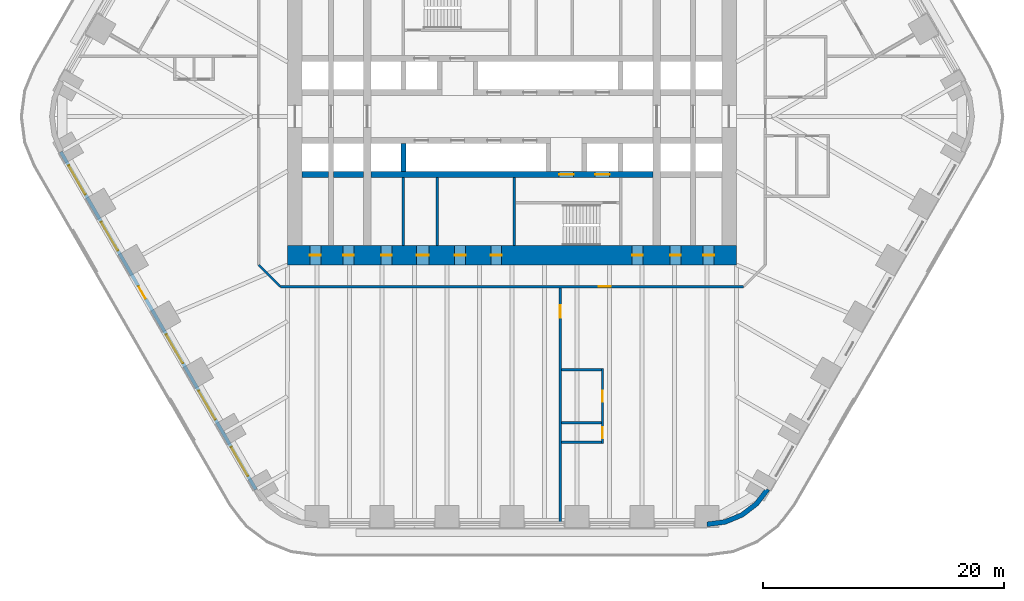
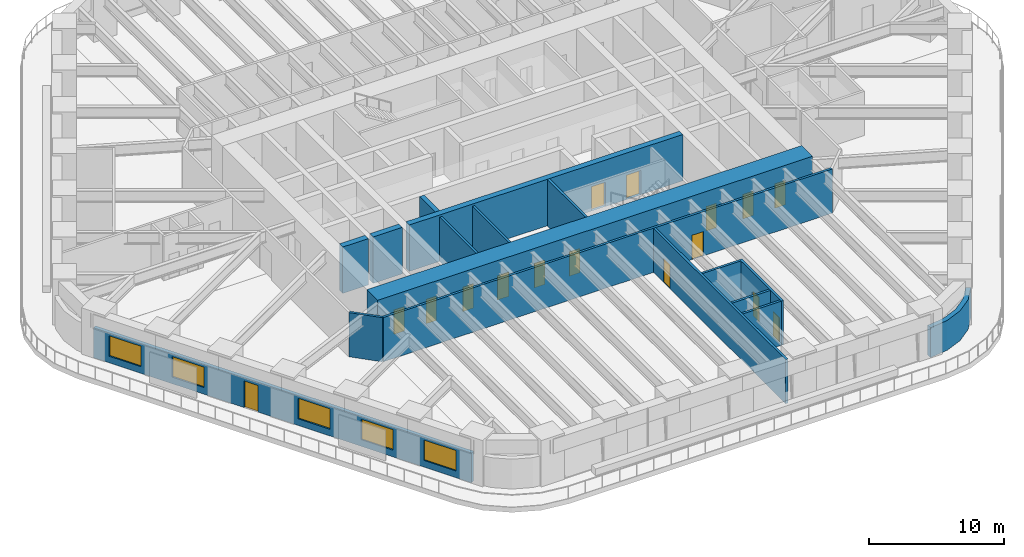
# One storey, part 16 of 23: 17 walls, 16 doors, 5 windows, 21 openings.
"""IFC4 building model written with IfcOpenShell, lengths in metres."""

from ifc_helpers import new_model, si_unit, direction, frame, frame_2d, origin, place, context, subcontext, project, spatial, polyline, rectangle, outline, extrude, material, layer, layer_set, type_object, element, fill, save


model = new_model("IFC4")

# Units and contexts
model_context = context("Model", 3, precision=1e-05, world=origin(), true_north=direction((0.0, 1.0)))
body_context = subcontext(model_context, "Body", "Model", "MODEL_VIEW")
ifc_project = project(units=[si_unit("LENGTHUNIT", "METRE"), si_unit("AREAUNIT", "SQUARE_METRE"), si_unit("VOLUMEUNIT", "CUBIC_METRE"), si_unit("PLANEANGLEUNIT", "RADIAN"), si_unit("MASSUNIT", "GRAM", prefix="KILO")], contexts=[model_context])

# Site, building, storey
site_placement = place(None, origin())
site = spatial("IfcSite", under=ifc_project, at=site_placement, CompositionType="ELEMENT")
building_placement = place(site_placement, origin())
building = spatial("IfcBuilding", under=site, at=building_placement, Name="Tarfa Lantern Tower", CompositionType="ELEMENT")
storey_placement = place(building_placement, frame((0.0, 0.0, 44.5)))
storey = spatial("IfcBuildingStorey", under=building, at=storey_placement, Name="L09", CompositionType="ELEMENT", Elevation=44.5)

# Wall, openings, door, windows
ifc_material_1 = material(Name="Limestone cladding on blockwork", Category="masonry")
ifc_layer_1 = layer(ifc_material_1, 0.300048828125)
ifc_layer_set_1 = layer_set([ifc_layer_1], Name="EW1 STONE-CLAD WALL 300")
wall_type_1 = type_object("IfcWallType", Name="EW1 STONE-CLAD WALL 300", PredefinedType="SOLIDWALL", material=ifc_layer_set_1)
wall_1_placement = place(storey_placement, frame((-37.39794921875, -2.925048828125, 0.0), z_axis=(0.0, 0.0, 1.0), x_axis=(0.499999163675, -0.866025886636, 0.0)))
wall_1 = element("IfcWall", 1, at=wall_1_placement, inside=storey, type_object=wall_type_1, Name="Stone wall SW", PredefinedType="SOLIDWALL", context=body_context, shape_type="SweptSolid", body=[
    extrude(rectangle(XDim=32.33154296875, YDim=0.300048828125, at=frame_2d((16.165771484375, 0.0))), origin(), (0.0, 0.0, 1.0), 2.699951171875),
])
opening_1_placement = place(wall_1_placement, frame((1.3193359375, 0.0, 0.60009765625)))
opening_1 = element("IfcOpeningElement", 2, at=opening_1_placement, cuts=wall_1, Name="Opening W2", PredefinedType="OPENING", context=body_context, shape_type="SweptSolid", body=[
    extrude(rectangle(XDim=2.75, YDim=1.85009765625, at=frame_2d((1.375, 0.925048828125))), frame((0.0, 0.159912109375, 0.0), z_axis=(0.0, -1.0, 0.0), x_axis=(1.0, 0.0, 0.0)), (0.0, 0.0, 1.0), 0.320068359375),
])
opening_2_placement = place(wall_1_placement, frame((6.7080078125, 0.0, 0.60009765625)))
opening_2 = element("IfcOpeningElement", 3, at=opening_2_placement, cuts=wall_1, Name="Opening W2", PredefinedType="OPENING", context=body_context, shape_type="SweptSolid", body=[
    extrude(rectangle(XDim=2.75, YDim=1.85009765625, at=frame_2d((1.375, 0.925048828125))), frame((0.0, 0.159912109375, 0.0), z_axis=(0.0, -1.0, 0.0), x_axis=(1.0, 0.0, 0.0)), (0.0, 0.0, 1.0), 0.320068359375),
])
opening_3_placement = place(wall_1_placement, frame((12.87158203125, 0.0, 0.0)))
opening_3 = element("IfcOpeningElement", 4, at=opening_3_placement, cuts=wall_1, Name="Opening D51", PredefinedType="OPENING", context=body_context, shape_type="SweptSolid", body=[
    extrude(rectangle(XDim=1.199951171875, YDim=2.39990234375, at=frame_2d((0.60009765625, 1.199951171875))), frame((0.0, 0.159912109375, 0.0), z_axis=(0.0, -1.0, 0.0), x_axis=(1.0, 0.0, 0.0)), (0.0, 0.0, 1.0), 0.320068359375),
])
opening_4_placement = place(wall_1_placement, frame((17.485107421875, 0.0, 0.60009765625)))
opening_4 = element("IfcOpeningElement", 5, at=opening_4_placement, cuts=wall_1, Name="Opening W2", PredefinedType="OPENING", context=body_context, shape_type="SweptSolid", body=[
    extrude(rectangle(XDim=2.75, YDim=1.85009765625, at=frame_2d((1.375, 0.925048828125))), frame((0.0, 0.159912109375, 0.0), z_axis=(0.0, -1.0, 0.0), x_axis=(1.0, 0.0, 0.0)), (0.0, 0.0, 1.0), 0.320068359375),
])
opening_5_placement = place(wall_1_placement, frame((22.873779296875, 0.0, 0.60009765625)))
opening_5 = element("IfcOpeningElement", 6, at=opening_5_placement, cuts=wall_1, Name="Opening W2", PredefinedType="OPENING", context=body_context, shape_type="SweptSolid", body=[
    extrude(rectangle(XDim=2.75, YDim=1.85009765625, at=frame_2d((1.375, 0.925048828125))), frame((0.0, 0.159912109375, 0.0), z_axis=(0.0, -1.0, 0.0), x_axis=(1.0, 0.0, 0.0)), (0.0, 0.0, 1.0), 0.320068359375),
])
opening_6_placement = place(wall_1_placement, frame((28.26220703125, 0.0, 0.60009765625)))
opening_6 = element("IfcOpeningElement", 7, at=opening_6_placement, cuts=wall_1, Name="Opening W2", PredefinedType="OPENING", context=body_context, shape_type="SweptSolid", body=[
    extrude(rectangle(XDim=2.75, YDim=1.85009765625, at=frame_2d((1.375, 0.925048828125))), frame((0.0, 0.159912109375, 0.0), z_axis=(0.0, -1.0, 0.0), x_axis=(1.0, 0.0, 0.0)), (0.0, 0.0, 1.0), 0.320068359375),
])
ifc_material_2 = material(Name="Aluminium framed glazed door", Category="aluminium")
door_type_1 = type_object("IfcDoorType", Name="BE3 BALCONY DOOR 1200x2400", OperationType="SINGLE_SWING_RIGHT", PredefinedType="DOOR", material=ifc_material_2)
door_1_placement = place(opening_3_placement, origin())
door_1 = element("IfcDoor", 8, at=door_1_placement, inside=storey, type_object=door_type_1, Name="Balcony door SW", OperationType="SINGLE_SWING_RIGHT", OverallHeight=2.39990234375, OverallWidth=1.199951171875, PredefinedType="DOOR", context=body_context, shape_type="SweptSolid", body=[
    extrude(rectangle(XDim=1.199951171875, YDim=2.39990234375, at=frame_2d((0.60009765625, 1.199951171875))), frame((0.0, 0.02490234375, 0.0), z_axis=(0.0, -1.0, 0.0), x_axis=(1.0, 0.0, 0.0)), (0.0, 0.0, 1.0), 0.050048828125),
])
fill(opening_3, door_1)
ifc_material_3 = material(Name="Aluminium frame, double glazed", Category="aluminium")
window_type = type_object("IfcWindowType", Name="W2 FULL-HEIGHT GLAZING 2750x1850", PartitioningType="SINGLE_PANEL", PredefinedType="WINDOW", material=ifc_material_3)
window_1_placement = place(opening_1_placement, origin())
window_1 = element("IfcWindow", 9, at=window_1_placement, inside=storey, type_object=window_type, Name="Window SW 1", OverallHeight=1.85009765625, OverallWidth=2.75, PartitioningType="SINGLE_PANEL", PredefinedType="WINDOW", context=body_context, shape_type="SweptSolid", body=[
    extrude(rectangle(XDim=2.75, YDim=1.85009765625, at=frame_2d((1.375, 0.925048828125))), frame((0.0, 0.030029296875, 0.0), z_axis=(0.0, -1.0, 0.0), x_axis=(1.0, 0.0, 0.0)), (0.0, 0.0, 1.0), 0.06005859375),
])
fill(opening_1, window_1)
window_2_placement = place(opening_2_placement, origin())
window_2 = element("IfcWindow", 10, at=window_2_placement, inside=storey, type_object=window_type, Name="Window SW 2", OverallHeight=1.85009765625, OverallWidth=2.75, PartitioningType="SINGLE_PANEL", PredefinedType="WINDOW", context=body_context, shape_type="SweptSolid", body=[
    extrude(rectangle(XDim=2.75, YDim=1.85009765625, at=frame_2d((1.375, 0.925048828125))), frame((0.0, 0.030029296875, 0.0), z_axis=(0.0, -1.0, 0.0), x_axis=(1.0, 0.0, 0.0)), (0.0, 0.0, 1.0), 0.06005859375),
])
fill(opening_2, window_2)
window_3_placement = place(opening_4_placement, origin())
window_3 = element("IfcWindow", 11, at=window_3_placement, inside=storey, type_object=window_type, Name="Window SW 4", OverallHeight=1.85009765625, OverallWidth=2.75, PartitioningType="SINGLE_PANEL", PredefinedType="WINDOW", context=body_context, shape_type="SweptSolid", body=[
    extrude(rectangle(XDim=2.75, YDim=1.85009765625, at=frame_2d((1.375, 0.925048828125))), frame((0.0, 0.030029296875, 0.0), z_axis=(0.0, -1.0, 0.0), x_axis=(1.0, 0.0, 0.0)), (0.0, 0.0, 1.0), 0.06005859375),
])
fill(opening_4, window_3)
window_4_placement = place(opening_5_placement, origin())
window_4 = element("IfcWindow", 12, at=window_4_placement, inside=storey, type_object=window_type, Name="Window SW 5", OverallHeight=1.85009765625, OverallWidth=2.75, PartitioningType="SINGLE_PANEL", PredefinedType="WINDOW", context=body_context, shape_type="SweptSolid", body=[
    extrude(rectangle(XDim=2.75, YDim=1.85009765625, at=frame_2d((1.375, 0.925048828125))), frame((0.0, 0.030029296875, 0.0), z_axis=(0.0, -1.0, 0.0), x_axis=(1.0, 0.0, 0.0)), (0.0, 0.0, 1.0), 0.06005859375),
])
fill(opening_5, window_4)
window_5_placement = place(opening_6_placement, origin())
window_5 = element("IfcWindow", 13, at=window_5_placement, inside=storey, type_object=window_type, Name="Window SW 6", OverallHeight=1.85009765625, OverallWidth=2.75, PartitioningType="SINGLE_PANEL", PredefinedType="WINDOW", context=body_context, shape_type="SweptSolid", body=[
    extrude(rectangle(XDim=2.75, YDim=1.85009765625, at=frame_2d((1.375, 0.925048828125))), frame((0.0, 0.030029296875, 0.0), z_axis=(0.0, -1.0, 0.0), x_axis=(1.0, 0.0, 0.0)), (0.0, 0.0, 1.0), 0.06005859375),
])
fill(opening_6, window_5)

# Walls
ifc_layer_2 = layer(ifc_material_1, 0.39990234375)
ifc_layer_set_2 = layer_set([ifc_layer_2], Name="EW2 CURVED STONE CORNER 400")
wall_type_2 = type_object("IfcWallType", Name="EW2 CURVED STONE CORNER 400", PredefinedType="SOLIDWALL", material=ifc_layer_set_2)
wall_2_placement = place(storey_placement, origin())
element("IfcWall", 14, at=wall_2_placement, inside=storey, type_object=wall_type_2, Name="Stone corner S-SE", PredefinedType="SOLIDWALL", context=body_context, shape_type="SweptSolid", body=[
    extrude(outline(polyline([(16.165771484375, -34.0), (17.71875, -33.795654296875), (19.165771484375, -33.196044921875), (20.408447265625, -32.24267578125), (21.362060546875, -31.0), (21.015625, -30.800048828125), (20.12548828125, -31.959716796875), (18.9658203125, -32.849853515625), (17.615234375, -33.4091796875), (16.165771484375, -33.60009765625), (16.165771484375, -34.0)])), origin(), (0.0, 0.0, 1.0), 2.699951171875),
])
ifc_material_4 = material(Name="Concrete blockwork", Category="masonry")
ifc_layer_3 = layer(ifc_material_4, 0.199951171875)
ifc_layer_set_3 = layer_set([ifc_layer_3], Name="IW1 BLOCKWORK PARTITION 200 EI 120")
wall_type_3 = type_object("IfcWallType", Name="IW1 BLOCKWORK PARTITION 200 EI 120", PredefinedType="PARTITIONING", material=ifc_layer_set_3)
for number, where, z_axis, x_axis, name in (
    (15, (-9.0, -5.050048828125, 0.0), (0.0, 0.0, 1.0), (0.0, -1.0, 0.0), "Core partition"),
    (16, (-6.199951171875, -5.050048828125, 0.0), (0.0, 0.0, 1.0), (0.0, -1.0, 0.0), "Core partition"),
):
    element("IfcWall", number, at=place(storey_placement, frame(where, z_axis=z_axis, x_axis=x_axis)), inside=storey, type_object=wall_type_3, Name=name, PredefinedType="PARTITIONING", context=body_context, shape_type="SweptSolid", body=[
        extrude(rectangle(XDim=5.64990234375, YDim=0.199951171875, at=frame_2d((2.824951171875, 0.0))), origin(), (0.0, 0.0, 1.0), 4.0),
    ])

# Wall, opening, door
ifc_material_5 = material(Name="Gypsum board on steel studs", Category="steel")
ifc_layer_4 = layer(ifc_material_5, 0.2099609375)
ifc_layer_set_4 = layer_set([ifc_layer_4], Name="IW2 ACOUSTIC PARTITION 200")
wall_type_4 = type_object("IfcWallType", Name="IW2 ACOUSTIC PARTITION 200", PredefinedType="PARTITIONING", material=ifc_layer_set_4)
wall_3_placement = place(storey_placement, frame((19.199951171875, -14.10009765625, 0.0), z_axis=(0.0, 0.0, 1.0), x_axis=(-1.0, 0.0, 0.0)))
wall_3 = element("IfcWall", 17, at=wall_3_placement, inside=storey, type_object=wall_type_4, Name="Partition", PredefinedType="PARTITIONING", context=body_context, shape_type="SweptSolid", body=[
    extrude(rectangle(XDim=38.39990234375, YDim=0.199951171875, at=frame_2d((19.199951171875, 0.0))), origin(), (0.0, 0.0, 1.0), 4.0),
])
opening_7_placement = place(wall_3_placement, frame((11.02001953125, 0.0, 0.0)))
opening_7 = element("IfcOpeningElement", 18, at=opening_7_placement, cuts=wall_3, Name="Opening D44", PredefinedType="OPENING", context=body_context, shape_type="SweptSolid", body=[
    extrude(rectangle(XDim=1.0, YDim=2.199951171875, at=frame_2d((0.5, 1.10009765625))), frame((0.0, 0.10986328125, 0.0), z_axis=(0.0, -1.0, 0.0), x_axis=(1.0, 0.0, 0.0)), (0.0, 0.0, 1.0), 0.219970703125),
])
ifc_material_6 = material(Name="Timber door", Category="wood")
door_type_2 = type_object("IfcDoorType", Name="DR1 ROOM DOOR 1000x2200", OperationType="SINGLE_SWING_LEFT", PredefinedType="DOOR", material=ifc_material_6)
door_2_placement = place(opening_7_placement, origin())
door_2 = element("IfcDoor", 19, at=door_2_placement, inside=storey, type_object=door_type_2, Name="Corridor door", OperationType="SINGLE_SWING_LEFT", OverallHeight=2.199951171875, OverallWidth=1.0, PredefinedType="DOOR", context=body_context, shape_type="SweptSolid", body=[
    extrude(rectangle(XDim=1.0, YDim=2.199951171875, at=frame_2d((0.5, 1.10009765625))), frame((0.0, 0.02490234375, 0.0), z_axis=(0.0, -1.0, 0.0), x_axis=(1.0, 0.0, 0.0)), (0.0, 0.0, 1.0), 0.050048828125),
])
fill(opening_7, door_2)

# Wall
wall_4_placement = place(storey_placement, frame((-19.199951171875, -14.10009765625, 0.0), z_axis=(0.0, 0.0, 1.0), x_axis=(-0.707106781187, 0.707106781187, 0.0)))
element("IfcWall", 20, at=wall_4_placement, inside=storey, type_object=wall_type_4, Name="Partition", PredefinedType="PARTITIONING", context=body_context, shape_type="SweptSolid", body=[
    extrude(rectangle(XDim=2.545654296875, YDim=0.199951171875, at=frame_2d((1.27294921875, 0.0))), origin(), (0.0, 0.0, 1.0), 4.0),
])

# Wall, opening, door
wall_5_placement = place(storey_placement, frame((4.0, -14.199951171875, 0.0), z_axis=(0.0, 0.0, 1.0), x_axis=(0.0, -1.0, 0.0)))
wall_5 = element("IfcWall", 21, at=wall_5_placement, inside=storey, type_object=wall_type_4, Name="Partition", PredefinedType="PARTITIONING", context=body_context, shape_type="SweptSolid", body=[
    extrude(rectangle(XDim=19.60009765625, YDim=0.199951171875, at=frame_2d((9.800048828125, 0.0))), origin(), (0.0, 0.0, 1.0), 4.0),
])
opening_8_placement = place(wall_5_placement, frame((1.4599609375, 0.0, 0.0)))
opening_8 = element("IfcOpeningElement", 22, at=opening_8_placement, cuts=wall_5, Name="Opening D47", PredefinedType="OPENING", context=body_context, shape_type="SweptSolid", body=[
    extrude(rectangle(XDim=1.0, YDim=2.199951171875, at=frame_2d((0.5, 1.10009765625))), frame((0.0, 0.10986328125, 0.0), z_axis=(0.0, -1.0, 0.0), x_axis=(1.0, 0.0, 0.0)), (0.0, 0.0, 1.0), 0.219970703125),
])
door_3_placement = place(opening_8_placement, origin())
door_3 = element("IfcDoor", 23, at=door_3_placement, inside=storey, type_object=door_type_2, Name="Zone door", OperationType="SINGLE_SWING_RIGHT", OverallHeight=2.199951171875, OverallWidth=1.0, PredefinedType="DOOR", context=body_context, shape_type="SweptSolid", body=[
    extrude(rectangle(XDim=1.0, YDim=2.199951171875, at=frame_2d((0.5, 1.10009765625))), frame((0.0, 0.02490234375, 0.0), z_axis=(0.0, -1.0, 0.0), x_axis=(1.0, 0.0, 0.0)), (0.0, 0.0, 1.0), 0.050048828125),
])
fill(opening_8, door_3)

# Wall, openings, doors
wall_6_placement = place(storey_placement, frame((7.5, -20.89990234375, 0.0), z_axis=(0.0, 0.0, 1.0), x_axis=(0.0, -1.0, 0.0)))
wall_6 = element("IfcWall", 24, at=wall_6_placement, inside=storey, type_object=wall_type_4, Name="Partition", PredefinedType="PARTITIONING", context=body_context, shape_type="SweptSolid", body=[
    extrude(rectangle(XDim=6.2001953125, YDim=0.199951171875, at=frame_2d((3.10009765625, 0.0))), origin(), (0.0, 0.0, 1.0), 4.0),
])
opening_9_placement = place(wall_6_placement, frame((1.85009765625, 0.0, 0.0)))
opening_9 = element("IfcOpeningElement", 25, at=opening_9_placement, cuts=wall_6, Name="Opening D39", PredefinedType="OPENING", context=body_context, shape_type="SweptSolid", body=[
    extrude(rectangle(XDim=0.89990234375, YDim=2.199951171875, at=frame_2d((0.449951171875, 1.10009765625))), frame((0.0, 0.10986328125, 0.0), z_axis=(0.0, -1.0, 0.0), x_axis=(1.0, 0.0, 0.0)), (0.0, 0.0, 1.0), 0.219970703125),
])
opening_10_placement = place(wall_6_placement, frame((4.85009765625, 0.0, 0.0)))
opening_10 = element("IfcOpeningElement", 26, at=opening_10_placement, cuts=wall_6, Name="Opening D40", PredefinedType="OPENING", context=body_context, shape_type="SweptSolid", body=[
    extrude(rectangle(XDim=0.89990234375, YDim=2.199951171875, at=frame_2d((0.449951171875, 1.10009765625))), frame((0.0, 0.10986328125, 0.0), z_axis=(0.0, -1.0, 0.0), x_axis=(1.0, 0.0, 0.0)), (0.0, 0.0, 1.0), 0.219970703125),
])
door_type_3 = type_object("IfcDoorType", Name="DR3 ROOM DOOR 900x2200", OperationType="SINGLE_SWING_LEFT", PredefinedType="DOOR", material=ifc_material_6)
door_4_placement = place(opening_9_placement, frame((0.89990234375, 0.0, 0.0), z_axis=(0.0, 0.0, 1.0), x_axis=(-1.0, 0.0, 0.0)))
door_4 = element("IfcDoor", 27, at=door_4_placement, inside=storey, type_object=door_type_3, Name="Meeting room door", OperationType="SINGLE_SWING_LEFT", OverallHeight=2.199951171875, OverallWidth=0.89990234375, PredefinedType="DOOR", context=body_context, shape_type="SweptSolid", body=[
    extrude(rectangle(XDim=0.89990234375, YDim=2.199951171875, at=frame_2d((0.449951171875, 1.10009765625))), frame((0.0, 0.02490234375, 0.0), z_axis=(0.0, -1.0, 0.0), x_axis=(1.0, 0.0, 0.0)), (0.0, 0.0, 1.0), 0.050048828125),
])
fill(opening_9, door_4)
door_5_placement = place(opening_10_placement, frame((0.89990234375, 0.0, 0.0), z_axis=(0.0, 0.0, 1.0), x_axis=(-1.0, 0.0, 0.0)))
door_5 = element("IfcDoor", 28, at=door_5_placement, inside=storey, type_object=door_type_3, Name="Phone booth door", OperationType="SINGLE_SWING_RIGHT", OverallHeight=2.199951171875, OverallWidth=0.89990234375, PredefinedType="DOOR", context=body_context, shape_type="SweptSolid", body=[
    extrude(rectangle(XDim=0.89990234375, YDim=2.199951171875, at=frame_2d((0.449951171875, 1.10009765625))), frame((0.0, 0.02490234375, 0.0), z_axis=(0.0, -1.0, 0.0), x_axis=(1.0, 0.0, 0.0)), (0.0, 0.0, 1.0), 0.050048828125),
])
fill(opening_10, door_5)

# Walls
for number, where, z_axis, x_axis, name in (
    (29, (4.10009765625, -21.0, 0.0), (0.0, 0.0, 1.0), (1.0, 0.0, 0.0), "Partition"),
    (30, (4.10009765625, -25.39990234375, 0.0), (0.0, 0.0, 1.0), (1.0, 0.0, 0.0), "Partition"),
    (31, (4.10009765625, -27.0, 0.0), (0.0, 0.0, 1.0), (1.0, 0.0, 0.0), "Partition"),
):
    element("IfcWall", number, at=place(storey_placement, frame(where, z_axis=z_axis, x_axis=x_axis)), inside=storey, type_object=wall_type_4, Name=name, PredefinedType="PARTITIONING", context=body_context, shape_type="SweptSolid", body=[
        extrude(rectangle(XDim=3.2998046875, YDim=0.199951171875, at=frame_2d((1.64990234375, 0.0))), origin(), (0.0, 0.0, 1.0), 4.0),
    ])
ifc_material_7 = material(Name="Concrete C80/95", Category="concrete")
ifc_layer_5 = layer(ifc_material_7, 0.199951171875)
ifc_layer_set_5 = layer_set([ifc_layer_5], Name="SW12 CORE WALL 200")
wall_type_5 = type_object("IfcWallType", Name="SW12 CORE WALL 200", PredefinedType="SHEAR", material=ifc_layer_set_5)
wall_7_placement = place(storey_placement, frame((0.199951171875, -5.050048828125, 0.0), z_axis=(0.0, 0.0, 1.0), x_axis=(0.0, -1.0, 0.0)))
element("IfcWall", 32, at=wall_7_placement, inside=storey, type_object=wall_type_5, Name="Core wall stair shaft S", PredefinedType="SHEAR", context=body_context, shape_type="SweptSolid", body=[
    extrude(rectangle(XDim=5.64990234375, YDim=0.199951171875, at=frame_2d((2.824951171875, 0.0))), origin(), (0.0, 0.0, 1.0), 4.199951171875),
])

# Wall, openings, doors
ifc_layer_6 = layer(ifc_material_7, 0.5)
ifc_layer_set_6 = layer_set([ifc_layer_6], Name="SW5 CORE WALL 500")
wall_type_6 = type_object("IfcWallType", Name="SW5 CORE WALL 500", PredefinedType="SHEAR", material=ifc_layer_set_6)
wall_8_placement = place(storey_placement, frame((11.699951171875, -4.800048828125, 0.0), z_axis=(0.0, 0.0, 1.0), x_axis=(-1.0, 0.0, 0.0)))
wall_8 = element("IfcWall", 33, at=wall_8_placement, inside=storey, type_object=wall_type_6, Name="Core wall rear S", PredefinedType="SHEAR", context=body_context, shape_type="SweptSolid", body=[
    extrude(rectangle(XDim=23.39990234375, YDim=0.5, at=frame_2d((11.699951171875, 0.0))), origin(), (0.0, 0.0, 1.0), 4.199951171875),
])
opening_11_placement = place(wall_8_placement, frame((6.60009765625, 0.0, 0.0)))
opening_11 = element("IfcOpeningElement", 34, at=opening_11_placement, cuts=wall_8, Name="Opening D14", PredefinedType="OPENING", context=body_context, shape_type="SweptSolid", body=[
    extrude(rectangle(XDim=1.199951171875, YDim=2.199951171875, at=frame_2d((0.60009765625, 1.10009765625))), frame((0.0, 0.260009765625, 0.0), z_axis=(0.0, -1.0, 0.0), x_axis=(1.0, 0.0, 0.0)), (0.0, 0.0, 1.0), 0.52001953125),
])
opening_12_placement = place(wall_8_placement, frame((3.60009765625, 0.0, 0.0)))
opening_12 = element("IfcOpeningElement", 35, at=opening_12_placement, cuts=wall_8, Name="Opening LD02", PredefinedType="OPENING", context=body_context, shape_type="SweptSolid", body=[
    extrude(rectangle(XDim=1.199951171875, YDim=2.199951171875, at=frame_2d((0.60009765625, 1.10009765625))), frame((0.0, 0.260009765625, 0.0), z_axis=(0.0, -1.0, 0.0), x_axis=(1.0, 0.0, 0.0)), (0.0, 0.0, 1.0), 0.52001953125),
])
ifc_material_8 = material(Name="Steel fire door", Category="steel")
door_type_4 = type_object("IfcDoorType", Name="DF1 FIREFIGHTING LOBBY DOOR 1200x2200", OperationType="SINGLE_SWING_LEFT", PredefinedType="DOOR", material=ifc_material_8)
door_6_placement = place(opening_11_placement, origin())
door_6 = element("IfcDoor", 36, at=door_6_placement, inside=storey, type_object=door_type_4, Name="Firefighting lobby door", OperationType="SINGLE_SWING_LEFT", OverallHeight=2.199951171875, OverallWidth=1.199951171875, PredefinedType="DOOR", context=body_context, shape_type="SweptSolid", body=[
    extrude(rectangle(XDim=1.199951171875, YDim=2.199951171875, at=frame_2d((0.60009765625, 1.10009765625))), frame((0.0, 0.02490234375, 0.0), z_axis=(0.0, -1.0, 0.0), x_axis=(1.0, 0.0, 0.0)), (0.0, 0.0, 1.0), 0.050048828125),
])
fill(opening_11, door_6)
ifc_material_9 = material(Name="Stainless steel lift door", Category="steel")
door_type_5 = type_object("IfcDoorType", Name="LD1 LIFT LANDING DOOR 1200x2200", OperationType="SLIDING_TO_LEFT", PredefinedType="DOOR", material=ifc_material_9)
door_7_placement = place(opening_12_placement, origin())
door_7 = element("IfcDoor", 37, at=door_7_placement, inside=storey, type_object=door_type_5, Name="Landing door FL2", OperationType="SLIDING_TO_LEFT", OverallHeight=2.199951171875, OverallWidth=1.199951171875, PredefinedType="DOOR", context=body_context, shape_type="SweptSolid", body=[
    extrude(rectangle(XDim=1.199951171875, YDim=2.199951171875, at=frame_2d((0.60009765625, 1.10009765625))), frame((0.0, 0.02490234375, 0.0), z_axis=(0.0, -1.0, 0.0), x_axis=(1.0, 0.0, 0.0)), (0.0, 0.0, 1.0), 0.050048828125),
])
fill(opening_12, door_7)

# Walls
wall_9_placement = place(storey_placement, frame((-12.300048828125, -4.800048828125, 0.0), z_axis=(0.0, 0.0, 1.0), x_axis=(-1.0, 0.0, 0.0)))
element("IfcWall", 38, at=wall_9_placement, inside=storey, type_object=wall_type_6, Name="Core wall rear S", PredefinedType="SHEAR", context=body_context, shape_type="SweptSolid", body=[
    extrude(rectangle(XDim=2.5, YDim=0.5, at=frame_2d((1.25, 0.0))), origin(), (0.0, 0.0, 1.0), 4.199951171875),
])
wall_10_placement = place(storey_placement, frame((-15.199951171875, -4.800048828125, 0.0), z_axis=(0.0, 0.0, 1.0), x_axis=(-1.0, 0.0, 0.0)))
element("IfcWall", 39, at=wall_10_placement, inside=storey, type_object=wall_type_6, Name="Core wall rear S", PredefinedType="SHEAR", context=body_context, shape_type="SweptSolid", body=[
    extrude(rectangle(XDim=2.199951171875, YDim=0.5, at=frame_2d((1.10009765625, 0.0))), origin(), (0.0, 0.0, 1.0), 4.199951171875),
])
ifc_layer_7 = layer(ifc_material_7, 0.39990234375)
ifc_layer_set_7 = layer_set([ifc_layer_7], Name="SW6 CORE WALL 400")
wall_type_7 = type_object("IfcWallType", Name="SW6 CORE WALL 400", PredefinedType="SHEAR", material=ifc_layer_set_7)
wall_11_placement = place(storey_placement, frame((-9.0, -2.25, 0.0), z_axis=(0.0, 0.0, 1.0), x_axis=(0.0, -1.0, 0.0)))
element("IfcWall", 40, at=wall_11_placement, inside=storey, type_object=wall_type_7, Name="Core wall divider S", PredefinedType="SHEAR", context=body_context, shape_type="SweptSolid", body=[
    extrude(rectangle(XDim=2.300048828125, YDim=0.39990234375, at=frame_2d((1.14990234375, 0.0))), origin(), (0.0, 0.0, 1.0), 4.199951171875),
])

# Wall, openings, doors
ifc_layer_8 = layer(ifc_material_7, 1.60009765625)
ifc_layer_set_8 = layer_set([ifc_layer_8], Name="SW7 CORE WALL 1600")
wall_type_8 = type_object("IfcWallType", Name="SW7 CORE WALL 1600", PredefinedType="SHEAR", material=ifc_layer_set_8)
wall_12_placement = place(storey_placement, frame((18.60009765625, -11.5, 0.0), z_axis=(0.0, 0.0, 1.0), x_axis=(-1.0, 0.0, 0.0)))
wall_12 = element("IfcWall", 41, at=wall_12_placement, inside=storey, type_object=wall_type_8, Name="Core wall S", PredefinedType="SHEAR", context=body_context, shape_type="SweptSolid", body=[
    extrude(rectangle(XDim=37.2001953125, YDim=1.60009765625, at=frame_2d((18.60009765625, 0.0))), origin(), (0.0, 0.0, 1.0), 4.199951171875),
])
opening_13_placement = place(wall_12_placement, frame((19.449951171875, 0.0, 0.0)))
opening_13 = element("IfcOpeningElement", 42, at=opening_13_placement, cuts=wall_12, Name="Opening D18", PredefinedType="OPENING", context=body_context, shape_type="SweptSolid", body=[
    extrude(rectangle(XDim=0.89990234375, YDim=2.199951171875, at=frame_2d((0.449951171875, 1.10009765625))), frame((0.0, 0.81005859375, 0.0), z_axis=(0.0, -1.0, 0.0), x_axis=(1.0, 0.0, 0.0)), (0.0, 0.0, 1.0), 1.6201171875),
])
opening_14_placement = place(wall_12_placement, frame((22.449951171875, 0.0, 0.0)))
opening_14 = element("IfcOpeningElement", 43, at=opening_14_placement, cuts=wall_12, Name="Opening D20", PredefinedType="OPENING", context=body_context, shape_type="SweptSolid", body=[
    extrude(rectangle(XDim=0.89990234375, YDim=2.199951171875, at=frame_2d((0.449951171875, 1.10009765625))), frame((0.0, 0.81005859375, 0.0), z_axis=(0.0, -1.0, 0.0), x_axis=(1.0, 0.0, 0.0)), (0.0, 0.0, 1.0), 1.6201171875),
])
opening_15_placement = place(wall_12_placement, frame((25.5, 0.0, 0.0)))
opening_15 = element("IfcOpeningElement", 44, at=opening_15_placement, cuts=wall_12, Name="Opening D22", PredefinedType="OPENING", context=body_context, shape_type="SweptSolid", body=[
    extrude(rectangle(XDim=1.0, YDim=2.199951171875, at=frame_2d((0.5, 1.10009765625))), frame((0.0, 0.81005859375, 0.0), z_axis=(0.0, -1.0, 0.0), x_axis=(1.0, 0.0, 0.0)), (0.0, 0.0, 1.0), 1.6201171875),
])
opening_16_placement = place(wall_12_placement, frame((1.85009765625, 0.0, 0.0)))
opening_16 = element("IfcOpeningElement", 45, at=opening_16_placement, cuts=wall_12, Name="Opening D12", PredefinedType="OPENING", context=body_context, shape_type="SweptSolid", body=[
    extrude(rectangle(XDim=0.89990234375, YDim=2.199951171875, at=frame_2d((0.449951171875, 1.10009765625))), frame((0.0, 0.81005859375, 0.0), z_axis=(0.0, -1.0, 0.0), x_axis=(1.0, 0.0, 0.0)), (0.0, 0.0, 1.0), 1.6201171875),
])
opening_17_placement = place(wall_12_placement, frame((4.60009765625, 0.0, 0.0)))
opening_17 = element("IfcOpeningElement", 46, at=opening_17_placement, cuts=wall_12, Name="Opening D08", PredefinedType="OPENING", context=body_context, shape_type="SweptSolid", body=[
    extrude(rectangle(XDim=0.89990234375, YDim=2.199951171875, at=frame_2d((0.449951171875, 1.10009765625))), frame((0.0, 0.81005859375, 0.0), z_axis=(0.0, -1.0, 0.0), x_axis=(1.0, 0.0, 0.0)), (0.0, 0.0, 1.0), 1.6201171875),
])
opening_18_placement = place(wall_12_placement, frame((7.75, 0.0, 0.0)))
opening_18 = element("IfcOpeningElement", 47, at=opening_18_placement, cuts=wall_12, Name="Opening D10", PredefinedType="OPENING", context=body_context, shape_type="SweptSolid", body=[
    extrude(rectangle(XDim=0.89990234375, YDim=2.199951171875, at=frame_2d((0.449951171875, 1.10009765625))), frame((0.0, 0.81005859375, 0.0), z_axis=(0.0, -1.0, 0.0), x_axis=(1.0, 0.0, 0.0)), (0.0, 0.0, 1.0), 1.6201171875),
])
opening_19_placement = place(wall_12_placement, frame((28.550048828125, 0.0, 0.0)))
opening_19 = element("IfcOpeningElement", 48, at=opening_19_placement, cuts=wall_12, Name="Opening D06", PredefinedType="OPENING", context=body_context, shape_type="SweptSolid", body=[
    extrude(rectangle(XDim=0.89990234375, YDim=2.199951171875, at=frame_2d((0.449951171875, 1.10009765625))), frame((0.0, 0.81005859375, 0.0), z_axis=(0.0, -1.0, 0.0), x_axis=(1.0, 0.0, 0.0)), (0.0, 0.0, 1.0), 1.6201171875),
])
opening_20_placement = place(wall_12_placement, frame((31.699951171875, 0.0, 0.0)))
opening_20 = element("IfcOpeningElement", 49, at=opening_20_placement, cuts=wall_12, Name="Opening D02", PredefinedType="OPENING", context=body_context, shape_type="SweptSolid", body=[
    extrude(rectangle(XDim=0.89990234375, YDim=2.199951171875, at=frame_2d((0.449951171875, 1.10009765625))), frame((0.0, 0.81005859375, 0.0), z_axis=(0.0, -1.0, 0.0), x_axis=(1.0, 0.0, 0.0)), (0.0, 0.0, 1.0), 1.6201171875),
])
opening_21_placement = place(wall_12_placement, frame((34.449951171875, 0.0, 0.0)))
opening_21 = element("IfcOpeningElement", 50, at=opening_21_placement, cuts=wall_12, Name="Opening D04", PredefinedType="OPENING", context=body_context, shape_type="SweptSolid", body=[
    extrude(rectangle(XDim=0.89990234375, YDim=2.199951171875, at=frame_2d((0.449951171875, 1.10009765625))), frame((0.0, 0.81005859375, 0.0), z_axis=(0.0, -1.0, 0.0), x_axis=(1.0, 0.0, 0.0)), (0.0, 0.0, 1.0), 1.6201171875),
])
door_type_6 = type_object("IfcDoorType", Name="DF3 CORE ROOM DOOR 900x2200", OperationType="SINGLE_SWING_LEFT", PredefinedType="DOOR", material=ifc_material_8)
door_8_placement = place(opening_13_placement, frame((0.89990234375, 0.0, 0.0), z_axis=(0.0, 0.0, 1.0), x_axis=(-1.0, 0.0, 0.0)))
door_8 = element("IfcDoor", 51, at=door_8_placement, inside=storey, type_object=door_type_6, Name="Core door", OperationType="SINGLE_SWING_LEFT", OverallHeight=2.199951171875, OverallWidth=0.89990234375, PredefinedType="DOOR", context=body_context, shape_type="SweptSolid", body=[
    extrude(rectangle(XDim=0.89990234375, YDim=2.199951171875, at=frame_2d((0.449951171875, 1.10009765625))), frame((0.0, 0.02490234375, 0.0), z_axis=(0.0, -1.0, 0.0), x_axis=(1.0, 0.0, 0.0)), (0.0, 0.0, 1.0), 0.050048828125),
])
fill(opening_13, door_8)
door_9_placement = place(opening_14_placement, frame((0.89990234375, 0.0, 0.0), z_axis=(0.0, 0.0, 1.0), x_axis=(-1.0, 0.0, 0.0)))
door_9 = element("IfcDoor", 52, at=door_9_placement, inside=storey, type_object=door_type_6, Name="Core door", OperationType="SINGLE_SWING_RIGHT", OverallHeight=2.199951171875, OverallWidth=0.89990234375, PredefinedType="DOOR", context=body_context, shape_type="SweptSolid", body=[
    extrude(rectangle(XDim=0.89990234375, YDim=2.199951171875, at=frame_2d((0.449951171875, 1.10009765625))), frame((0.0, 0.02490234375, 0.0), z_axis=(0.0, -1.0, 0.0), x_axis=(1.0, 0.0, 0.0)), (0.0, 0.0, 1.0), 0.050048828125),
])
fill(opening_14, door_9)
door_type_7 = type_object("IfcDoorType", Name="DF4 CORE ROOM DOOR 1000x2200", OperationType="SINGLE_SWING_LEFT", PredefinedType="DOOR", material=ifc_material_8)
door_10_placement = place(opening_15_placement, frame((1.0, 0.0, 0.0), z_axis=(0.0, 0.0, 1.0), x_axis=(-1.0, 0.0, 0.0)))
door_10 = element("IfcDoor", 53, at=door_10_placement, inside=storey, type_object=door_type_7, Name="Core door", OperationType="SINGLE_SWING_LEFT", OverallHeight=2.199951171875, OverallWidth=1.0, PredefinedType="DOOR", context=body_context, shape_type="SweptSolid", body=[
    extrude(rectangle(XDim=1.0, YDim=2.199951171875, at=frame_2d((0.5, 1.10009765625))), frame((0.0, 0.02490234375, 0.0), z_axis=(0.0, -1.0, 0.0), x_axis=(1.0, 0.0, 0.0)), (0.0, 0.0, 1.0), 0.050048828125),
])
fill(opening_15, door_10)
door_type_8 = type_object("IfcDoorType", Name="DF5 RISER DOOR 900x2200", OperationType="SINGLE_SWING_LEFT", PredefinedType="DOOR", material=ifc_material_8)
door_11_placement = place(opening_16_placement, frame((0.89990234375, 0.0, 0.0), z_axis=(0.0, 0.0, 1.0), x_axis=(-1.0, 0.0, 0.0)))
door_11 = element("IfcDoor", 54, at=door_11_placement, inside=storey, type_object=door_type_8, Name="Riser door", OperationType="SINGLE_SWING_LEFT", OverallHeight=2.199951171875, OverallWidth=0.89990234375, PredefinedType="DOOR", context=body_context, shape_type="SweptSolid", body=[
    extrude(rectangle(XDim=0.89990234375, YDim=2.199951171875, at=frame_2d((0.449951171875, 1.10009765625))), frame((0.0, 0.02490234375, 0.0), z_axis=(0.0, -1.0, 0.0), x_axis=(1.0, 0.0, 0.0)), (0.0, 0.0, 1.0), 0.050048828125),
])
fill(opening_16, door_11)
door_12_placement = place(opening_17_placement, frame((0.89990234375, 0.0, 0.0), z_axis=(0.0, 0.0, 1.0), x_axis=(-1.0, 0.0, 0.0)))
door_12 = element("IfcDoor", 55, at=door_12_placement, inside=storey, type_object=door_type_8, Name="Riser door", OperationType="SINGLE_SWING_LEFT", OverallHeight=2.199951171875, OverallWidth=0.89990234375, PredefinedType="DOOR", context=body_context, shape_type="SweptSolid", body=[
    extrude(rectangle(XDim=0.89990234375, YDim=2.199951171875, at=frame_2d((0.449951171875, 1.10009765625))), frame((0.0, 0.02490234375, 0.0), z_axis=(0.0, -1.0, 0.0), x_axis=(1.0, 0.0, 0.0)), (0.0, 0.0, 1.0), 0.050048828125),
])
fill(opening_17, door_12)
door_13_placement = place(opening_18_placement, frame((0.89990234375, 0.0, 0.0), z_axis=(0.0, 0.0, 1.0), x_axis=(-1.0, 0.0, 0.0)))
door_13 = element("IfcDoor", 56, at=door_13_placement, inside=storey, type_object=door_type_8, Name="Riser door", OperationType="SINGLE_SWING_LEFT", OverallHeight=2.199951171875, OverallWidth=0.89990234375, PredefinedType="DOOR", context=body_context, shape_type="SweptSolid", body=[
    extrude(rectangle(XDim=0.89990234375, YDim=2.199951171875, at=frame_2d((0.449951171875, 1.10009765625))), frame((0.0, 0.02490234375, 0.0), z_axis=(0.0, -1.0, 0.0), x_axis=(1.0, 0.0, 0.0)), (0.0, 0.0, 1.0), 0.050048828125),
])
fill(opening_18, door_13)
door_14_placement = place(opening_19_placement, frame((0.89990234375, 0.0, 0.0), z_axis=(0.0, 0.0, 1.0), x_axis=(-1.0, 0.0, 0.0)))
door_14 = element("IfcDoor", 57, at=door_14_placement, inside=storey, type_object=door_type_8, Name="Riser door", OperationType="SINGLE_SWING_RIGHT", OverallHeight=2.199951171875, OverallWidth=0.89990234375, PredefinedType="DOOR", context=body_context, shape_type="SweptSolid", body=[
    extrude(rectangle(XDim=0.89990234375, YDim=2.199951171875, at=frame_2d((0.449951171875, 1.10009765625))), frame((0.0, 0.02490234375, 0.0), z_axis=(0.0, -1.0, 0.0), x_axis=(1.0, 0.0, 0.0)), (0.0, 0.0, 1.0), 0.050048828125),
])
fill(opening_19, door_14)
door_15_placement = place(opening_20_placement, frame((0.89990234375, 0.0, 0.0), z_axis=(0.0, 0.0, 1.0), x_axis=(-1.0, 0.0, 0.0)))
door_15 = element("IfcDoor", 58, at=door_15_placement, inside=storey, type_object=door_type_8, Name="Riser door", OperationType="SINGLE_SWING_RIGHT", OverallHeight=2.199951171875, OverallWidth=0.89990234375, PredefinedType="DOOR", context=body_context, shape_type="SweptSolid", body=[
    extrude(rectangle(XDim=0.89990234375, YDim=2.199951171875, at=frame_2d((0.449951171875, 1.10009765625))), frame((0.0, 0.02490234375, 0.0), z_axis=(0.0, -1.0, 0.0), x_axis=(1.0, 0.0, 0.0)), (0.0, 0.0, 1.0), 0.050048828125),
])
fill(opening_20, door_15)
door_16_placement = place(opening_21_placement, frame((0.89990234375, 0.0, 0.0), z_axis=(0.0, 0.0, 1.0), x_axis=(-1.0, 0.0, 0.0)))
door_16 = element("IfcDoor", 59, at=door_16_placement, inside=storey, type_object=door_type_8, Name="Riser door", OperationType="SINGLE_SWING_RIGHT", OverallHeight=2.199951171875, OverallWidth=0.89990234375, PredefinedType="DOOR", context=body_context, shape_type="SweptSolid", body=[
    extrude(rectangle(XDim=0.89990234375, YDim=2.199951171875, at=frame_2d((0.449951171875, 1.10009765625))), frame((0.0, 0.02490234375, 0.0), z_axis=(0.0, -1.0, 0.0), x_axis=(1.0, 0.0, 0.0)), (0.0, 0.0, 1.0), 0.050048828125),
])
fill(opening_21, door_16)

save(model, "model.ifc")
